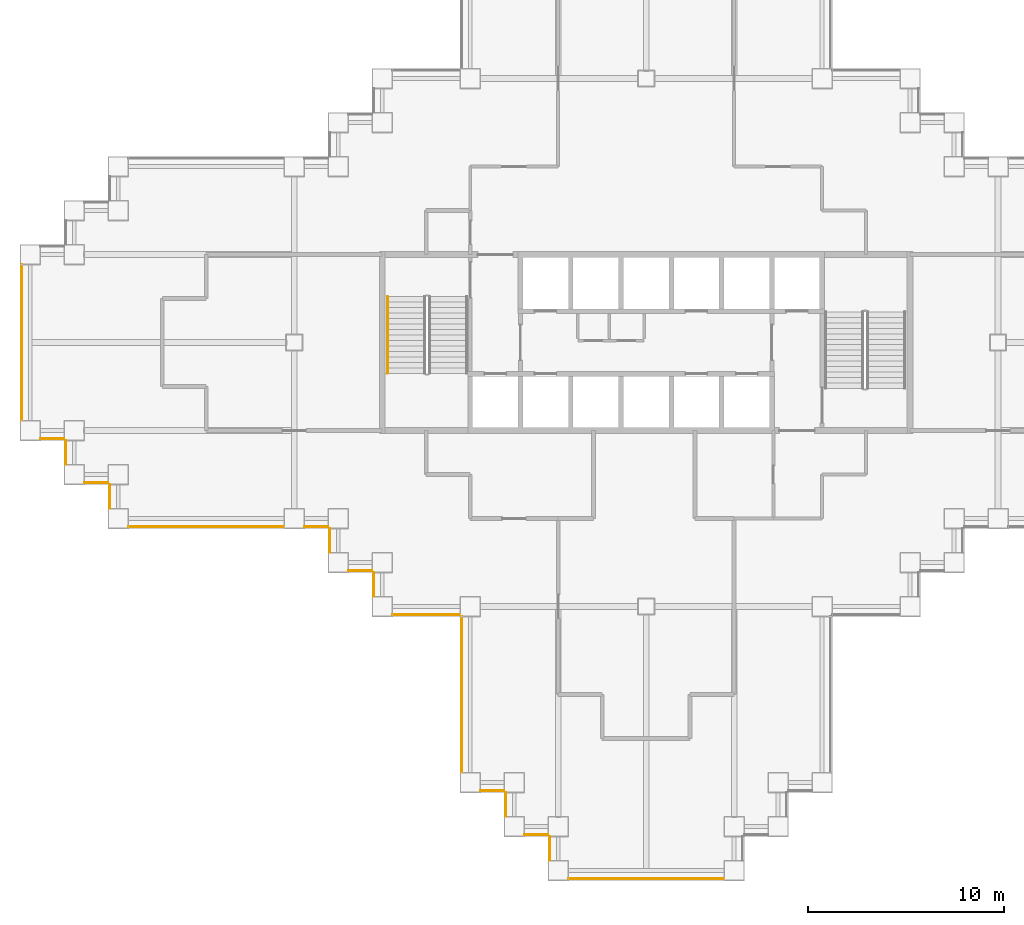
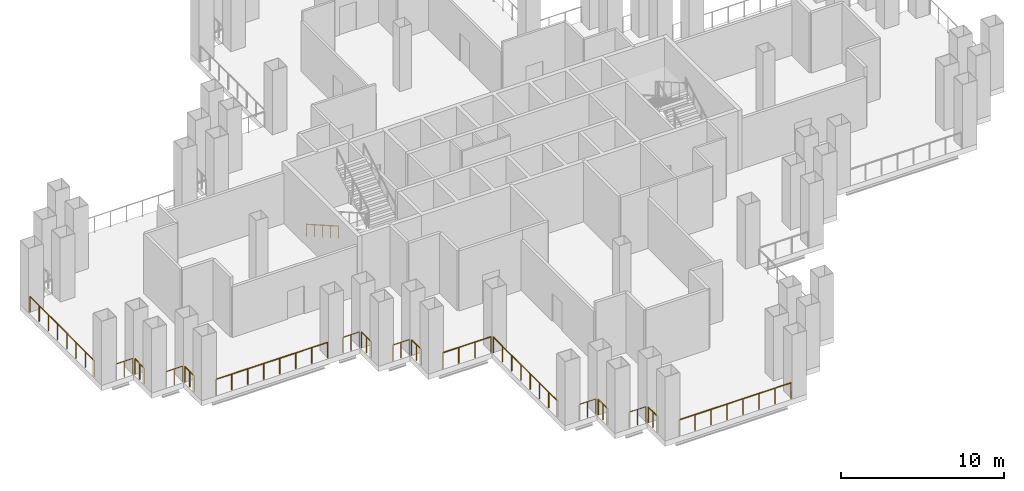
# One storey, part 7 of 10: 18 railings.
"""IFC4 building model written with IfcOpenShell, lengths in metres."""

from ifc_helpers import new_model, si_unit, direction, frame, origin, origin_2d, place, context, subcontext, project, spatial, circle, extrude, material, type_object, element, save


model = new_model("IFC4")

# Units and contexts
model_context = context("Model", 3, precision=1e-05, world=origin(), true_north=direction((0.0, 1.0)))
body_context = subcontext(model_context, "Body", "Model", "MODEL_VIEW")
ifc_project = project(units=[si_unit("LENGTHUNIT", "METRE"), si_unit("AREAUNIT", "SQUARE_METRE"), si_unit("VOLUMEUNIT", "CUBIC_METRE"), si_unit("PLANEANGLEUNIT", "RADIAN"), si_unit("MASSUNIT", "GRAM", prefix="KILO")], contexts=[model_context])

# Site, building, storey
site_placement = place(None, origin())
site = spatial("IfcSite", under=ifc_project, at=site_placement, CompositionType="ELEMENT")
building_placement = place(site_placement, origin())
building = spatial("IfcBuilding", under=site, at=building_placement, Name="Caravel Reach Hotel and Residences", CompositionType="ELEMENT")
storey_placement = place(building_placement, frame((0.0, 0.0, 48.0)))
storey = spatial("IfcBuildingStorey", under=building, at=storey_placement, Name="L10", CompositionType="ELEMENT", Elevation=48.0)

# Railings
ifc_material_1 = material(Name="Stainless steel S30408", Category="steel")
railing_type_1 = type_object("IfcRailingType", Name="G1 Guard 1200 stainless", PredefinedType="GUARDRAIL", material=ifc_material_1)
railing_1_placement = place(storey_placement, frame((23.02490234375, 4.074951171875, 0.0)))
element("IfcRailing", 1, at=railing_1_placement, inside=storey, type_object=railing_type_1, Name="Guard L10 1.1", PredefinedType="GUARDRAIL", context=body_context, shape_type="SweptSolid", body=[
    extrude(circle(Radius=0.02392578125, at=origin_2d()), frame((0.0, 0.0, 1.17578125), z_axis=(1.0, 0.0, 0.0), x_axis=(0.0, 1.0, 0.0)), (0.0, 0.0, 1.0), 1.2001953125),
    extrude(circle(Radius=0.02099609375, at=origin_2d()), origin(), (0.0, 0.0, 1.0), 1.15185546875),
    extrude(circle(Radius=0.02099609375, at=origin_2d()), frame((0.60009765625, 0.0, 0.0)), (0.0, 0.0, 1.0), 1.15185546875),
    extrude(circle(Radius=0.02099609375, at=origin_2d()), frame((1.2001953125, 0.0, 0.0)), (0.0, 0.0, 1.0), 1.15185546875),
])
railing_2_placement = place(storey_placement, frame((24.324951171875, 3.97509765625, 0.0)))
element("IfcRailing", 2, at=railing_2_placement, inside=storey, type_object=railing_type_1, Name="Guard L10 2.1", PredefinedType="GUARDRAIL", context=body_context, shape_type="SweptSolid", body=[
    extrude(circle(Radius=0.02392578125, at=origin_2d()), frame((0.0, 0.0, 1.17578125), z_axis=(0.0, -1.0, 0.0), x_axis=(1.0, 0.0, 0.0)), (0.0, 0.0, 1.0), 1.2001953125),
    extrude(circle(Radius=0.02099609375, at=origin_2d()), origin(), (0.0, 0.0, 1.0), 1.15185546875),
    extrude(circle(Radius=0.02099609375, at=origin_2d()), frame((0.0, -0.60009765625, 0.0)), (0.0, 0.0, 1.0), 1.15185546875),
    extrude(circle(Radius=0.02099609375, at=origin_2d()), frame((0.0, -1.2001953125, 0.0)), (0.0, 0.0, 1.0), 1.15185546875),
])
railing_3_placement = place(storey_placement, frame((25.27490234375, 1.824951171875, 0.0)))
element("IfcRailing", 3, at=railing_3_placement, inside=storey, type_object=railing_type_1, Name="Guard L10 3.1", PredefinedType="GUARDRAIL", context=body_context, shape_type="SweptSolid", body=[
    extrude(circle(Radius=0.02392578125, at=origin_2d()), frame((0.0, 0.0, 1.17578125), z_axis=(1.0, 0.0, 0.0), x_axis=(0.0, 1.0, 0.0)), (0.0, 0.0, 1.0), 1.2001953125),
    extrude(circle(Radius=0.02099609375, at=origin_2d()), origin(), (0.0, 0.0, 1.0), 1.15185546875),
    extrude(circle(Radius=0.02099609375, at=origin_2d()), frame((0.60009765625, 0.0, 0.0)), (0.0, 0.0, 1.0), 1.15185546875),
    extrude(circle(Radius=0.02099609375, at=origin_2d()), frame((1.2001953125, 0.0, 0.0)), (0.0, 0.0, 1.0), 1.15185546875),
])
railing_4_placement = place(storey_placement, frame((26.574951171875, 1.72509765625, 0.0)))
element("IfcRailing", 4, at=railing_4_placement, inside=storey, type_object=railing_type_1, Name="Guard L10 4.1", PredefinedType="GUARDRAIL", context=body_context, shape_type="SweptSolid", body=[
    extrude(circle(Radius=0.02392578125, at=origin_2d()), frame((0.0, 0.0, 1.17578125), z_axis=(0.0, -1.0, 0.0), x_axis=(1.0, 0.0, 0.0)), (0.0, 0.0, 1.0), 1.2001953125),
    extrude(circle(Radius=0.02099609375, at=origin_2d()), origin(), (0.0, 0.0, 1.0), 1.15185546875),
    extrude(circle(Radius=0.02099609375, at=origin_2d()), frame((0.0, -0.60009765625, 0.0)), (0.0, 0.0, 1.0), 1.15185546875),
    extrude(circle(Radius=0.02099609375, at=origin_2d()), frame((0.0, -1.2001953125, 0.0)), (0.0, 0.0, 1.0), 1.15185546875),
])
railing_5_placement = place(storey_placement, frame((27.52490234375, -0.425048828125, 0.0)))
element("IfcRailing", 5, at=railing_5_placement, inside=storey, type_object=railing_type_1, Name="Guard L10 5.1", PredefinedType="GUARDRAIL", context=body_context, shape_type="SweptSolid", body=[
    extrude(circle(Radius=0.02392578125, at=origin_2d()), frame((0.0, 0.0, 1.17578125), z_axis=(1.0, 0.0, 0.0), x_axis=(0.0, 1.0, 0.0)), (0.0, 0.0, 1.0), 7.9501953125),
    extrude(circle(Radius=0.02099609375, at=origin_2d()), origin(), (0.0, 0.0, 1.0), 1.15185546875),
    extrude(circle(Radius=0.02099609375, at=origin_2d()), frame((1.1357421875, 0.0, 0.0)), (0.0, 0.0, 1.0), 1.15185546875),
    extrude(circle(Radius=0.02099609375, at=origin_2d()), frame((2.271484375, 0.0, 0.0)), (0.0, 0.0, 1.0), 1.15185546875),
    extrude(circle(Radius=0.02099609375, at=origin_2d()), frame((3.4072265625, 0.0, 0.0)), (0.0, 0.0, 1.0), 1.15185546875),
    extrude(circle(Radius=0.02099609375, at=origin_2d()), frame((4.54296875, 0.0, 0.0)), (0.0, 0.0, 1.0), 1.15185546875),
    extrude(circle(Radius=0.02099609375, at=origin_2d()), frame((5.6787109375, 0.0, 0.0)), (0.0, 0.0, 1.0), 1.15185546875),
    extrude(circle(Radius=0.02099609375, at=origin_2d()), frame((6.814453125, 0.0, 0.0)), (0.0, 0.0, 1.0), 1.15185546875),
    extrude(circle(Radius=0.02099609375, at=origin_2d()), frame((7.9501953125, 0.0, 0.0)), (0.0, 0.0, 1.0), 1.15185546875),
])
railing_6_placement = place(storey_placement, frame((-0.425048828125, 30.97509765625, 0.0)))
element("IfcRailing", 6, at=railing_6_placement, inside=storey, type_object=railing_type_1, Name="Guard L10 50.1", PredefinedType="GUARDRAIL", context=body_context, shape_type="SweptSolid", body=[
    extrude(circle(Radius=0.02392578125, at=origin_2d()), frame((0.0, 0.0, 1.17578125), z_axis=(0.0, -1.0, 0.0), x_axis=(1.0, 0.0, 0.0)), (0.0, 0.0, 1.0), 7.9501953125),
    extrude(circle(Radius=0.02099609375, at=origin_2d()), origin(), (0.0, 0.0, 1.0), 1.15185546875),
    extrude(circle(Radius=0.02099609375, at=origin_2d()), frame((0.0, -1.1357421875, 0.0)), (0.0, 0.0, 1.0), 1.15185546875),
    extrude(circle(Radius=0.02099609375, at=origin_2d()), frame((0.0, -2.271484375, 0.0)), (0.0, 0.0, 1.0), 1.15185546875),
    extrude(circle(Radius=0.02099609375, at=origin_2d()), frame((0.0, -3.4072265625, 0.0)), (0.0, 0.0, 1.0), 1.15185546875),
    extrude(circle(Radius=0.02099609375, at=origin_2d()), frame((0.0, -4.54296875, 0.0)), (0.0, 0.0, 1.0), 1.15185546875),
    extrude(circle(Radius=0.02099609375, at=origin_2d()), frame((0.0, -5.6787109375, 0.0)), (0.0, 0.0, 1.0), 1.15185546875),
    extrude(circle(Radius=0.02099609375, at=origin_2d()), frame((0.0, -6.814453125, 0.0)), (0.0, 0.0, 1.0), 1.15185546875),
    extrude(circle(Radius=0.02099609375, at=origin_2d()), frame((0.0, -7.9501953125, 0.0)), (0.0, 0.0, 1.0), 1.15185546875),
])
railing_7_placement = place(storey_placement, frame((0.52490234375, 22.074951171875, 0.0)))
element("IfcRailing", 7, at=railing_7_placement, inside=storey, type_object=railing_type_1, Name="Guard L10 51.1", PredefinedType="GUARDRAIL", context=body_context, shape_type="SweptSolid", body=[
    extrude(circle(Radius=0.02392578125, at=origin_2d()), frame((0.0, 0.0, 1.17578125), z_axis=(1.0, 0.0, 0.0), x_axis=(0.0, 1.0, 0.0)), (0.0, 0.0, 1.0), 1.2001953125),
    extrude(circle(Radius=0.02099609375, at=origin_2d()), origin(), (0.0, 0.0, 1.0), 1.15185546875),
    extrude(circle(Radius=0.02099609375, at=origin_2d()), frame((0.60009765625, 0.0, 0.0)), (0.0, 0.0, 1.0), 1.15185546875),
    extrude(circle(Radius=0.02099609375, at=origin_2d()), frame((1.2001953125, 0.0, 0.0)), (0.0, 0.0, 1.0), 1.15185546875),
])
railing_8_placement = place(storey_placement, frame((1.824951171875, 21.97509765625, 0.0)))
element("IfcRailing", 8, at=railing_8_placement, inside=storey, type_object=railing_type_1, Name="Guard L10 52.1", PredefinedType="GUARDRAIL", context=body_context, shape_type="SweptSolid", body=[
    extrude(circle(Radius=0.02392578125, at=origin_2d()), frame((0.0, 0.0, 1.17578125), z_axis=(0.0, -1.0, 0.0), x_axis=(1.0, 0.0, 0.0)), (0.0, 0.0, 1.0), 1.2001953125),
    extrude(circle(Radius=0.02099609375, at=origin_2d()), origin(), (0.0, 0.0, 1.0), 1.15185546875),
    extrude(circle(Radius=0.02099609375, at=origin_2d()), frame((0.0, -0.60009765625, 0.0)), (0.0, 0.0, 1.0), 1.15185546875),
    extrude(circle(Radius=0.02099609375, at=origin_2d()), frame((0.0, -1.2001953125, 0.0)), (0.0, 0.0, 1.0), 1.15185546875),
])
railing_9_placement = place(storey_placement, frame((2.77490234375, 19.824951171875, 0.0)))
element("IfcRailing", 9, at=railing_9_placement, inside=storey, type_object=railing_type_1, Name="Guard L10 53.1", PredefinedType="GUARDRAIL", context=body_context, shape_type="SweptSolid", body=[
    extrude(circle(Radius=0.02392578125, at=origin_2d()), frame((0.0, 0.0, 1.17578125), z_axis=(1.0, 0.0, 0.0), x_axis=(0.0, 1.0, 0.0)), (0.0, 0.0, 1.0), 1.2001953125),
    extrude(circle(Radius=0.02099609375, at=origin_2d()), origin(), (0.0, 0.0, 1.0), 1.15185546875),
    extrude(circle(Radius=0.02099609375, at=origin_2d()), frame((0.60009765625, 0.0, 0.0)), (0.0, 0.0, 1.0), 1.15185546875),
    extrude(circle(Radius=0.02099609375, at=origin_2d()), frame((1.2001953125, 0.0, 0.0)), (0.0, 0.0, 1.0), 1.15185546875),
])
railing_10_placement = place(storey_placement, frame((4.074951171875, 19.72509765625, 0.0)))
element("IfcRailing", 10, at=railing_10_placement, inside=storey, type_object=railing_type_1, Name="Guard L10 54.1", PredefinedType="GUARDRAIL", context=body_context, shape_type="SweptSolid", body=[
    extrude(circle(Radius=0.02392578125, at=origin_2d()), frame((0.0, 0.0, 1.17578125), z_axis=(0.0, -1.0, 0.0), x_axis=(1.0, 0.0, 0.0)), (0.0, 0.0, 1.0), 1.2001953125),
    extrude(circle(Radius=0.02099609375, at=origin_2d()), origin(), (0.0, 0.0, 1.0), 1.15185546875),
    extrude(circle(Radius=0.02099609375, at=origin_2d()), frame((0.0, -0.60009765625, 0.0)), (0.0, 0.0, 1.0), 1.15185546875),
    extrude(circle(Radius=0.02099609375, at=origin_2d()), frame((0.0, -1.2001953125, 0.0)), (0.0, 0.0, 1.0), 1.15185546875),
])
railing_11_placement = place(storey_placement, frame((5.02490234375, 17.574951171875, 0.0)))
element("IfcRailing", 11, at=railing_11_placement, inside=storey, type_object=railing_type_1, Name="Guard L10 55.1", PredefinedType="GUARDRAIL", context=body_context, shape_type="SweptSolid", body=[
    extrude(circle(Radius=0.02392578125, at=origin_2d()), frame((0.0, 0.0, 1.17578125), z_axis=(1.0, 0.0, 0.0), x_axis=(0.0, 1.0, 0.0)), (0.0, 0.0, 1.0), 7.9501953125),
    extrude(circle(Radius=0.02099609375, at=origin_2d()), origin(), (0.0, 0.0, 1.0), 1.15185546875),
    extrude(circle(Radius=0.02099609375, at=origin_2d()), frame((1.1357421875, 0.0, 0.0)), (0.0, 0.0, 1.0), 1.15185546875),
    extrude(circle(Radius=0.02099609375, at=origin_2d()), frame((2.271484375, 0.0, 0.0)), (0.0, 0.0, 1.0), 1.15185546875),
    extrude(circle(Radius=0.02099609375, at=origin_2d()), frame((3.4072265625, 0.0, 0.0)), (0.0, 0.0, 1.0), 1.15185546875),
    extrude(circle(Radius=0.02099609375, at=origin_2d()), frame((4.54296875, 0.0, 0.0)), (0.0, 0.0, 1.0), 1.15185546875),
    extrude(circle(Radius=0.02099609375, at=origin_2d()), frame((5.6787109375, 0.0, 0.0)), (0.0, 0.0, 1.0), 1.15185546875),
    extrude(circle(Radius=0.02099609375, at=origin_2d()), frame((6.814453125, 0.0, 0.0)), (0.0, 0.0, 1.0), 1.15185546875),
    extrude(circle(Radius=0.02099609375, at=origin_2d()), frame((7.9501953125, 0.0, 0.0)), (0.0, 0.0, 1.0), 1.15185546875),
])
railing_12_placement = place(storey_placement, frame((14.02490234375, 17.574951171875, 0.0)))
element("IfcRailing", 12, at=railing_12_placement, inside=storey, type_object=railing_type_1, Name="Guard L10 55.2", PredefinedType="GUARDRAIL", context=body_context, shape_type="SweptSolid", body=[
    extrude(circle(Radius=0.02392578125, at=origin_2d()), frame((0.0, 0.0, 1.17578125), z_axis=(1.0, 0.0, 0.0), x_axis=(0.0, 1.0, 0.0)), (0.0, 0.0, 1.0), 1.2001953125),
    extrude(circle(Radius=0.02099609375, at=origin_2d()), origin(), (0.0, 0.0, 1.0), 1.15185546875),
    extrude(circle(Radius=0.02099609375, at=origin_2d()), frame((0.60009765625, 0.0, 0.0)), (0.0, 0.0, 1.0), 1.15185546875),
    extrude(circle(Radius=0.02099609375, at=origin_2d()), frame((1.2001953125, 0.0, 0.0)), (0.0, 0.0, 1.0), 1.15185546875),
])
railing_13_placement = place(storey_placement, frame((15.324951171875, 17.47509765625, 0.0)))
element("IfcRailing", 13, at=railing_13_placement, inside=storey, type_object=railing_type_1, Name="Guard L10 56.1", PredefinedType="GUARDRAIL", context=body_context, shape_type="SweptSolid", body=[
    extrude(circle(Radius=0.02392578125, at=origin_2d()), frame((0.0, 0.0, 1.17578125), z_axis=(0.0, -1.0, 0.0), x_axis=(1.0, 0.0, 0.0)), (0.0, 0.0, 1.0), 1.2001953125),
    extrude(circle(Radius=0.02099609375, at=origin_2d()), origin(), (0.0, 0.0, 1.0), 1.15185546875),
    extrude(circle(Radius=0.02099609375, at=origin_2d()), frame((0.0, -0.60009765625, 0.0)), (0.0, 0.0, 1.0), 1.15185546875),
    extrude(circle(Radius=0.02099609375, at=origin_2d()), frame((0.0, -1.2001953125, 0.0)), (0.0, 0.0, 1.0), 1.15185546875),
])
railing_14_placement = place(storey_placement, frame((16.27490234375, 15.324951171875, 0.0)))
element("IfcRailing", 14, at=railing_14_placement, inside=storey, type_object=railing_type_1, Name="Guard L10 57.1", PredefinedType="GUARDRAIL", context=body_context, shape_type="SweptSolid", body=[
    extrude(circle(Radius=0.02392578125, at=origin_2d()), frame((0.0, 0.0, 1.17578125), z_axis=(1.0, 0.0, 0.0), x_axis=(0.0, 1.0, 0.0)), (0.0, 0.0, 1.0), 1.2001953125),
    extrude(circle(Radius=0.02099609375, at=origin_2d()), origin(), (0.0, 0.0, 1.0), 1.15185546875),
    extrude(circle(Radius=0.02099609375, at=origin_2d()), frame((0.60009765625, 0.0, 0.0)), (0.0, 0.0, 1.0), 1.15185546875),
    extrude(circle(Radius=0.02099609375, at=origin_2d()), frame((1.2001953125, 0.0, 0.0)), (0.0, 0.0, 1.0), 1.15185546875),
])
railing_15_placement = place(storey_placement, frame((17.574951171875, 15.22509765625, 0.0)))
element("IfcRailing", 15, at=railing_15_placement, inside=storey, type_object=railing_type_1, Name="Guard L10 58.1", PredefinedType="GUARDRAIL", context=body_context, shape_type="SweptSolid", body=[
    extrude(circle(Radius=0.02392578125, at=origin_2d()), frame((0.0, 0.0, 1.17578125), z_axis=(0.0, -1.0, 0.0), x_axis=(1.0, 0.0, 0.0)), (0.0, 0.0, 1.0), 1.2001953125),
    extrude(circle(Radius=0.02099609375, at=origin_2d()), origin(), (0.0, 0.0, 1.0), 1.15185546875),
    extrude(circle(Radius=0.02099609375, at=origin_2d()), frame((0.0, -0.60009765625, 0.0)), (0.0, 0.0, 1.0), 1.15185546875),
    extrude(circle(Radius=0.02099609375, at=origin_2d()), frame((0.0, -1.2001953125, 0.0)), (0.0, 0.0, 1.0), 1.15185546875),
])
railing_16_placement = place(storey_placement, frame((18.52490234375, 13.074951171875, 0.0)))
element("IfcRailing", 16, at=railing_16_placement, inside=storey, type_object=railing_type_1, Name="Guard L10 59.1", PredefinedType="GUARDRAIL", context=body_context, shape_type="SweptSolid", body=[
    extrude(circle(Radius=0.02392578125, at=origin_2d()), frame((0.0, 0.0, 1.17578125), z_axis=(1.0, 0.0, 0.0), x_axis=(0.0, 1.0, 0.0)), (0.0, 0.0, 1.0), 3.4501953125),
    extrude(circle(Radius=0.02099609375, at=origin_2d()), origin(), (0.0, 0.0, 1.0), 1.15185546875),
    extrude(circle(Radius=0.02099609375, at=origin_2d()), frame((1.150146484375, 0.0, 0.0)), (0.0, 0.0, 1.0), 1.15185546875),
    extrude(circle(Radius=0.02099609375, at=origin_2d()), frame((2.300048828125, 0.0, 0.0)), (0.0, 0.0, 1.0), 1.15185546875),
    extrude(circle(Radius=0.02099609375, at=origin_2d()), frame((3.4501953125, 0.0, 0.0)), (0.0, 0.0, 1.0), 1.15185546875),
])
railing_17_placement = place(storey_placement, frame((22.074951171875, 12.97509765625, 0.0)))
element("IfcRailing", 17, at=railing_17_placement, inside=storey, type_object=railing_type_1, Name="Guard L10 60.1", PredefinedType="GUARDRAIL", context=body_context, shape_type="SweptSolid", body=[
    extrude(circle(Radius=0.02392578125, at=origin_2d()), frame((0.0, 0.0, 1.17578125), z_axis=(0.0, -1.0, 0.0), x_axis=(1.0, 0.0, 0.0)), (0.0, 0.0, 1.0), 7.9501953125),
    extrude(circle(Radius=0.02099609375, at=origin_2d()), origin(), (0.0, 0.0, 1.0), 1.15185546875),
    extrude(circle(Radius=0.02099609375, at=origin_2d()), frame((0.0, -1.1357421875, 0.0)), (0.0, 0.0, 1.0), 1.15185546875),
    extrude(circle(Radius=0.02099609375, at=origin_2d()), frame((0.0, -2.271484375, 0.0)), (0.0, 0.0, 1.0), 1.15185546875),
    extrude(circle(Radius=0.02099609375, at=origin_2d()), frame((0.0, -3.4072265625, 0.0)), (0.0, 0.0, 1.0), 1.15185546875),
    extrude(circle(Radius=0.02099609375, at=origin_2d()), frame((0.0, -4.54296875, 0.0)), (0.0, 0.0, 1.0), 1.15185546875),
    extrude(circle(Radius=0.02099609375, at=origin_2d()), frame((0.0, -5.6787109375, 0.0)), (0.0, 0.0, 1.0), 1.15185546875),
    extrude(circle(Radius=0.02099609375, at=origin_2d()), frame((0.0, -6.814453125, 0.0)), (0.0, 0.0, 1.0), 1.15185546875),
    extrude(circle(Radius=0.02099609375, at=origin_2d()), frame((0.0, -7.9501953125, 0.0)), (0.0, 0.0, 1.0), 1.15185546875),
])
ifc_material_2 = material(Name="Stainless steel handrail", Category="steel")
railing_type_2 = type_object("IfcRailingType", Name="Handrail 900", PredefinedType="HANDRAIL", material=ifc_material_2)
railing_18_placement = place(storey_placement, frame((18.27490234375, 29.35009765625, 0.159912109375)))
element("IfcRailing", 18, at=railing_18_placement, inside=storey, type_object=railing_type_2, Name="L10 ST-A stair handrail 1", PredefinedType="HANDRAIL", context=body_context, shape_type="SweptSolid", body=[
    extrude(circle(Radius=0.02392578125, at=origin_2d()), frame((0.0, 0.0, 0.8759765625), z_axis=(0.0, -0.86825312469, 0.496121468458), x_axis=(1.0, 0.0, 0.0)), (0.0, 0.0, 1.0), 4.514892578125),
    extrude(circle(Radius=0.02099609375, at=origin_2d()), origin(), (0.0, 0.0, 1.0), 0.851806640625),
    extrude(circle(Radius=0.02099609375, at=origin_2d()), frame((0.0, -0.97998046875, 0.56005859375)), (0.0, 0.0, 1.0), 0.851806640625),
    extrude(circle(Radius=0.02099609375, at=origin_2d()), frame((0.0, -1.9599609375, 1.1201171875)), (0.0, 0.0, 1.0), 0.851806640625),
    extrude(circle(Radius=0.02099609375, at=origin_2d()), frame((0.0, -2.940185546875, 1.679931640625)), (0.0, 0.0, 1.0), 0.851806640625),
    extrude(circle(Radius=0.02099609375, at=origin_2d()), frame((0.0, -3.920166015625, 2.239990234375)), (0.0, 0.0, 1.0), 0.851806640625),
])

save(model, "model.ifc")
